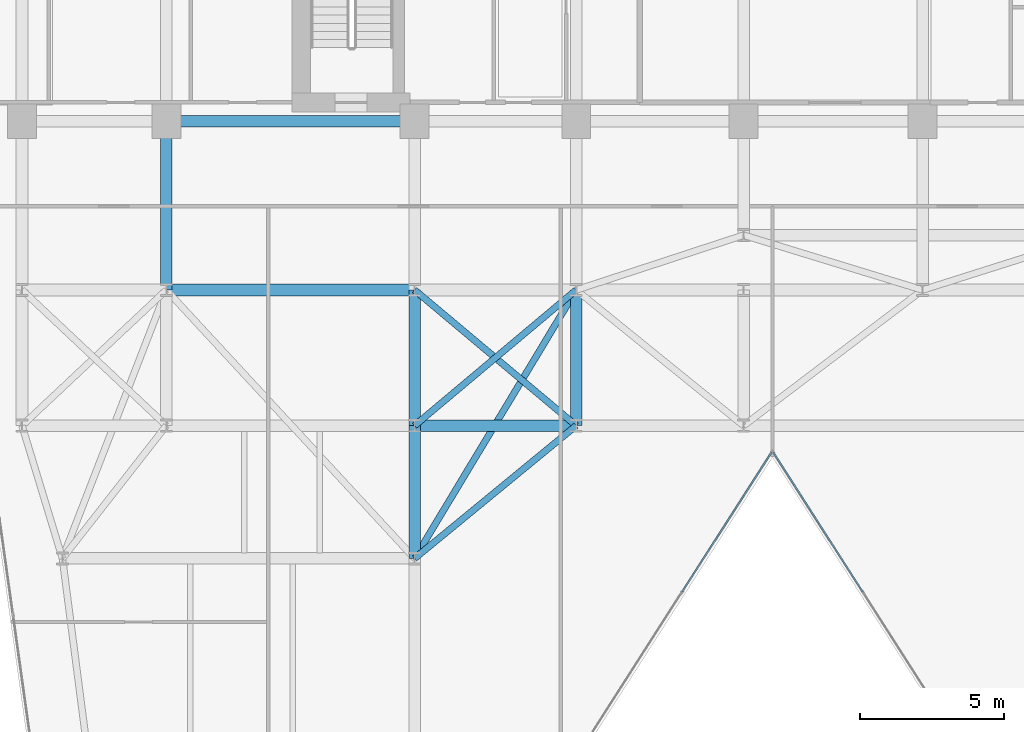
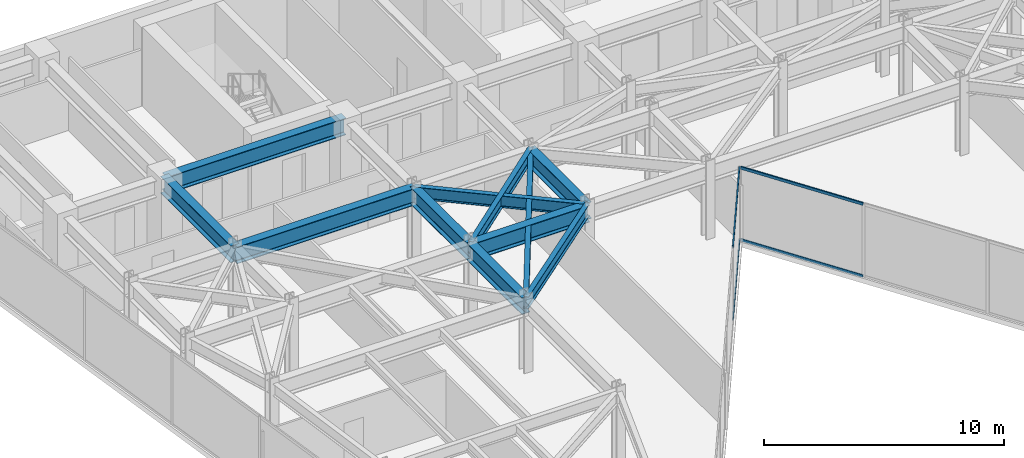
# One storey, part 12 of 26: 11 beams, 4 members, 2 elements without a shape of their own.
"""IFC4 building model written with IfcOpenShell, lengths in metres."""

from ifc_helpers import new_model, si_unit, direction, frame, origin, origin_2d, place, context, subcontext, project, spatial, hollow_rectangle, i_section, extrude, material, layer, layer_set, material_profile, profile_set, type_object, element, aggregate, save


model = new_model("IFC4")

# Units and contexts
model_context = context("Model", 3, precision=1e-05, world=origin(), true_north=direction((0.0, 1.0)))
body_context = subcontext(model_context, "Body", "Model", "MODEL_VIEW")
ifc_project = project(units=[si_unit("LENGTHUNIT", "METRE"), si_unit("AREAUNIT", "SQUARE_METRE"), si_unit("VOLUMEUNIT", "CUBIC_METRE"), si_unit("PLANEANGLEUNIT", "RADIAN"), si_unit("MASSUNIT", "GRAM", prefix="KILO")], contexts=[model_context])

# Site, building, storey
site_placement = place(None, origin())
site = spatial("IfcSite", under=ifc_project, at=site_placement, CompositionType="ELEMENT")
building_placement = place(site_placement, origin())
building = spatial("IfcBuilding", under=site, at=building_placement, Name="Kravanh Interchange Tower", CompositionType="ELEMENT")
storey_placement = place(building_placement, frame((0.0, 0.0, 152.0)))
storey = spatial("IfcBuildingStorey", under=building, at=storey_placement, Name="L36", CompositionType="ELEMENT", Elevation=152.0)

# Curtain wall, members
ifc_material_1 = material(Name="Anodised Bronze Aluminium", Category="aluminium")
ifc_layer = layer(ifc_material_1, 0.179931640625)
ifc_layer_set = layer_set([ifc_layer], Name="Unitised Curtain Wall System CW-Z2 Mid Office")
curtain_wall_type = type_object("IfcCurtainWallType", Name="Unitised Curtain Wall System CW-Z2 Mid Office", PredefinedType="NOTDEFINED", material=ifc_layer_set)
curtain_wall_1_placement = place(storey_placement, origin())
curtain_wall_1 = element("IfcCurtainWall", 1, at=curtain_wall_1_placement, inside=storey, type_object=curtain_wall_type, Name="L36 Unitised Curtain Wall CW-L36-04", PredefinedType="NOTDEFINED")
ifc_material_2 = material(Name="Anodised Bronze Aluminium", Category="aluminium")
ifc_material_profile_1 = material_profile(ifc_material_2, hollow_rectangle(XDim=0.06005859375, YDim=0.139892578125, WallThickness=0.00390625, at=origin_2d()), Name="ALU60X140X4")
ifc_profile_set_1 = profile_set([ifc_material_profile_1], Name="Anodised Bronze Aluminium")
member_type = type_object("IfcMemberType", Name="Curtain Wall Transom ALU60X140X4 Bronze", PredefinedType="USERDEFINED", material=ifc_profile_set_1)
member_1_placement = place(storey_placement, frame((42.72509765625, 21.047119140625, 0.030029296875), z_axis=(-0.53966766312, 0.841878146398, 0.0), x_axis=(-0.841878146398, -0.53966766312, 0.0)))
member_1 = element("IfcMember", 2, at=member_1_placement, type_object=member_type, Name="CW-Z2 transom 4.1", ObjectType="TRANSOM", PredefinedType="USERDEFINED", context=body_context, shape_type="SweptSolid", body=[
    extrude(hollow_rectangle(XDim=0.06005859375, YDim=0.139892578125, WallThickness=0.00390625, at=origin_2d()), origin(), (0.0, 0.0, 1.0), 5.73095703125),
])
member_2_placement = place(storey_placement, frame((42.72509765625, 21.047119140625, 3.68994140625), z_axis=(-0.53966766312, 0.841878146398, 0.0), x_axis=(-0.841878146398, -0.53966766312, 0.0)))
member_2 = element("IfcMember", 3, at=member_2_placement, type_object=member_type, Name="CW-Z2 transom 4.2", ObjectType="TRANSOM", PredefinedType="USERDEFINED", context=body_context, shape_type="SweptSolid", body=[
    extrude(hollow_rectangle(XDim=0.06005859375, YDim=0.139892578125, WallThickness=0.00390625, at=origin_2d()), origin(), (0.0, 0.0, 1.0), 5.73095703125),
])
aggregate(curtain_wall_1, [member_1, member_2])

curtain_wall_2_placement = place(storey_placement, origin())
curtain_wall_2 = element("IfcCurtainWall", 4, at=curtain_wall_2_placement, inside=storey, type_object=curtain_wall_type, Name="L36 Unitised Curtain Wall CW-L36-05", PredefinedType="NOTDEFINED")
member_3_placement = place(storey_placement, frame((39.567626953125, 25.871826171875, 0.030029296875), z_axis=(-0.53966766312, -0.841878146398, 0.0), x_axis=(0.841878146398, -0.53966766312, 0.0)))
member_3 = element("IfcMember", 5, at=member_3_placement, type_object=member_type, Name="CW-Z2 transom 1.1", ObjectType="TRANSOM", PredefinedType="USERDEFINED", context=body_context, shape_type="SweptSolid", body=[
    extrude(hollow_rectangle(XDim=0.06005859375, YDim=0.139892578125, WallThickness=0.00390625, at=origin_2d()), origin(), (0.0, 0.0, 1.0), 5.73095703125),
])
member_4_placement = place(storey_placement, frame((39.567626953125, 25.871826171875, 3.68994140625), z_axis=(-0.53966766312, -0.841878146398, 0.0), x_axis=(0.841878146398, -0.53966766312, 0.0)))
member_4 = element("IfcMember", 6, at=member_4_placement, type_object=member_type, Name="CW-Z2 transom 1.2", ObjectType="TRANSOM", PredefinedType="USERDEFINED", context=body_context, shape_type="SweptSolid", body=[
    extrude(hollow_rectangle(XDim=0.06005859375, YDim=0.139892578125, WallThickness=0.00390625, at=origin_2d()), origin(), (0.0, 0.0, 1.0), 5.73095703125),
])
aggregate(curtain_wall_2, [member_3, member_4])

# Beams
ifc_material_3 = material(Name="Structural Steel S355", Category="steel")
ifc_material_profile_2 = material_profile(ifc_material_3, i_section(OverallWidth=0.39990234375, OverallDepth=0.85595703125, WebThickness=0.018310546875, FlangeThickness=0.029296875, FilletRadius=0.02490234375, at=origin_2d()), Name="W33X201")
ifc_profile_set_2 = profile_set([ifc_material_profile_2], Name="Structural Steel S355")
beam_type_1 = type_object("IfcBeamType", Name="Floor Beam W33X201 Structural Steel S355", PredefinedType="BEAM", material=ifc_profile_set_2)
beam_1_placement = place(storey_placement, frame((27.199951171875, 37.35009765625, 3.2919921875), z_axis=(-1.0, 0.0, 0.0), x_axis=(0.0, -1.0, 0.0)))
element("IfcBeam", 7, at=beam_1_placement, inside=storey, type_object=beam_type_1, Name="L36 Primary Floor Girder 25", PredefinedType="BEAM", context=body_context, shape_type="SweptSolid", body=[
    extrude(i_section(OverallWidth=0.39990234375, OverallDepth=0.85595703125, WebThickness=0.018310546875, FlangeThickness=0.029296875, FilletRadius=0.02490234375, at=origin_2d()), origin(), (0.0, 0.0, 1.0), 8.599853515625),
])
beam_2_placement = place(storey_placement, frame((18.60009765625, 37.35009765625, 3.2919921875), z_axis=(0.0, -1.0, 0.0), x_axis=(1.0, 0.0, 0.0)))
element("IfcBeam", 8, at=beam_2_placement, inside=storey, type_object=beam_type_1, Name="L36 Primary Floor Girder 29", PredefinedType="BEAM", context=body_context, shape_type="SweptSolid", body=[
    extrude(i_section(OverallWidth=0.39990234375, OverallDepth=0.85595703125, WebThickness=0.018310546875, FlangeThickness=0.029296875, FilletRadius=0.02490234375, at=origin_2d()), origin(), (0.0, 0.0, 1.0), 5.85009765625),
])
beam_3_placement = place(storey_placement, frame((27.199951171875, 26.800048828125, 3.2919921875), z_axis=(0.0, -1.0, 0.0), x_axis=(1.0, 0.0, 0.0)))
element("IfcBeam", 9, at=beam_3_placement, inside=storey, type_object=beam_type_1, Name="L36 Primary Floor Girder 45", PredefinedType="BEAM", context=body_context, shape_type="SweptSolid", body=[
    extrude(i_section(OverallWidth=0.39990234375, OverallDepth=0.85595703125, WebThickness=0.018310546875, FlangeThickness=0.029296875, FilletRadius=0.02490234375, at=origin_2d()), origin(), (0.0, 0.0, 1.0), 4.60009765625),
])
beam_4_placement = place(storey_placement, frame((27.199951171875, 26.800048828125, 3.2919921875), z_axis=(0.0, 1.0, 0.0), x_axis=(-1.0, 0.0, 0.0)))
element("IfcBeam", 10, at=beam_4_placement, inside=storey, type_object=beam_type_1, Name="L36 Primary Floor Girder 46", PredefinedType="BEAM", context=body_context, shape_type="SweptSolid", body=[
    extrude(i_section(OverallWidth=0.39990234375, OverallDepth=0.85595703125, WebThickness=0.018310546875, FlangeThickness=0.029296875, FilletRadius=0.02490234375, at=origin_2d()), origin(), (0.0, 0.0, 1.0), 4.699951171875),
])
beam_5_placement = place(storey_placement, frame((27.199951171875, 26.800048828125, 3.2919921875), z_axis=(1.0, 0.0, 0.0), x_axis=(0.0, 1.0, 0.0)))
element("IfcBeam", 11, at=beam_5_placement, inside=storey, type_object=beam_type_1, Name="L36 Primary Floor Girder 47", PredefinedType="BEAM", context=body_context, shape_type="SweptSolid", body=[
    extrude(i_section(OverallWidth=0.39990234375, OverallDepth=0.85595703125, WebThickness=0.018310546875, FlangeThickness=0.029296875, FilletRadius=0.02490234375, at=origin_2d()), origin(), (0.0, 0.0, 1.0), 5.60009765625),
])
beam_6_placement = place(storey_placement, frame((32.800048828125, 26.800048828125, 3.2919921875), z_axis=(0.0, 1.0, 0.0), x_axis=(-1.0, 0.0, 0.0)))
element("IfcBeam", 12, at=beam_6_placement, inside=storey, type_object=beam_type_1, Name="L36 Primary Floor Girder 49", PredefinedType="BEAM", context=body_context, shape_type="SweptSolid", body=[
    extrude(i_section(OverallWidth=0.39990234375, OverallDepth=0.85595703125, WebThickness=0.018310546875, FlangeThickness=0.029296875, FilletRadius=0.02490234375, at=origin_2d()), origin(), (0.0, 0.0, 1.0), 4.699951171875),
])
beam_7_placement = place(storey_placement, frame((18.60009765625, 31.5, 3.2919921875), z_axis=(1.0, 0.0, 0.0), x_axis=(0.0, 1.0, 0.0)))
element("IfcBeam", 13, at=beam_7_placement, inside=storey, type_object=beam_type_1, Name="L36 Primary Floor Girder 71", PredefinedType="BEAM", context=body_context, shape_type="SweptSolid", body=[
    extrude(i_section(OverallWidth=0.39990234375, OverallDepth=0.85595703125, WebThickness=0.018310546875, FlangeThickness=0.029296875, FilletRadius=0.02490234375, at=origin_2d()), origin(), (0.0, 0.0, 1.0), 8.599853515625),
])
ifc_material_4 = material(Name="Structural Steel S355", Category="steel")
ifc_material_profile_3 = material_profile(ifc_material_4, i_section(OverallWidth=0.22802734375, OverallDepth=0.60791015625, WebThickness=0.01123046875, FlangeThickness=0.017333984375, FilletRadius=0.02197265625, at=origin_2d()), Name="W24X76")
ifc_profile_set_3 = profile_set([ifc_material_profile_3], Name="Structural Steel S355")
beam_type_2 = type_object("IfcBeamType", Name="Floor Spandrel W24X76 Structural Steel S355", PredefinedType="SPANDREL", material=ifc_profile_set_3)
beam_8_placement = place(storey_placement, frame((27.199951171875, 26.800048828125, 3.416015625), z_axis=(0.765983062929, 0.642860752657, 0.0), x_axis=(-0.642860752657, 0.765983062929, 0.0)))
element("IfcBeam", 14, at=beam_8_placement, inside=storey, type_object=beam_type_2, Name="L36 Perimeter Spandrel 48", PredefinedType="SPANDREL", context=body_context, shape_type="SweptSolid", body=[
    extrude(i_section(OverallWidth=0.22802734375, OverallDepth=0.60791015625, WebThickness=0.01123046875, FlangeThickness=0.017333984375, FilletRadius=0.02197265625, at=origin_2d()), origin(), (0.0, 0.0, 1.0), 7.31103515625),
])
beam_9_placement = place(storey_placement, frame((32.800048828125, 26.800048828125, 3.416015625), z_axis=(-0.772725074305, -0.634740860147, 0.0), x_axis=(0.634740860147, -0.772725074305, 0.0)))
element("IfcBeam", 15, at=beam_9_placement, inside=storey, type_object=beam_type_2, Name="L36 Perimeter Spandrel 51", PredefinedType="SPANDREL", context=body_context, shape_type="SweptSolid", body=[
    extrude(i_section(OverallWidth=0.22802734375, OverallDepth=0.60791015625, WebThickness=0.01123046875, FlangeThickness=0.017333984375, FilletRadius=0.02197265625, at=origin_2d()), origin(), (0.0, 0.0, 1.0), 7.247314453125),
])
beam_10_placement = place(storey_placement, frame((32.800048828125, 26.800048828125, 3.416015625), z_axis=(-0.765983062929, 0.642860752657, 0.0), x_axis=(-0.642860752657, -0.765983062929, 0.0)))
element("IfcBeam", 16, at=beam_10_placement, inside=storey, type_object=beam_type_2, Name="L36 Perimeter Spandrel 52", PredefinedType="SPANDREL", context=body_context, shape_type="SweptSolid", body=[
    extrude(i_section(OverallWidth=0.22802734375, OverallDepth=0.60791015625, WebThickness=0.01123046875, FlangeThickness=0.017333984375, FilletRadius=0.02197265625, at=origin_2d()), origin(), (0.0, 0.0, 1.0), 7.31103515625),
])
beam_11_placement = place(storey_placement, frame((32.800048828125, 31.5, 3.416015625), z_axis=(-0.515854375109, -0.856676288735, 0.0), x_axis=(0.856676288735, -0.515854375109, 0.0)))
element("IfcBeam", 17, at=beam_11_placement, inside=storey, type_object=beam_type_2, Name="L36 Perimeter Spandrel 80", PredefinedType="SPANDREL", context=body_context, shape_type="SweptSolid", body=[
    extrude(i_section(OverallWidth=0.22802734375, OverallDepth=0.60791015625, WebThickness=0.01123046875, FlangeThickness=0.017333984375, FilletRadius=0.02197265625, at=origin_2d()), origin(), (0.0, 0.0, 1.0), 10.85595703125),
])

save(model, "model.ifc")
